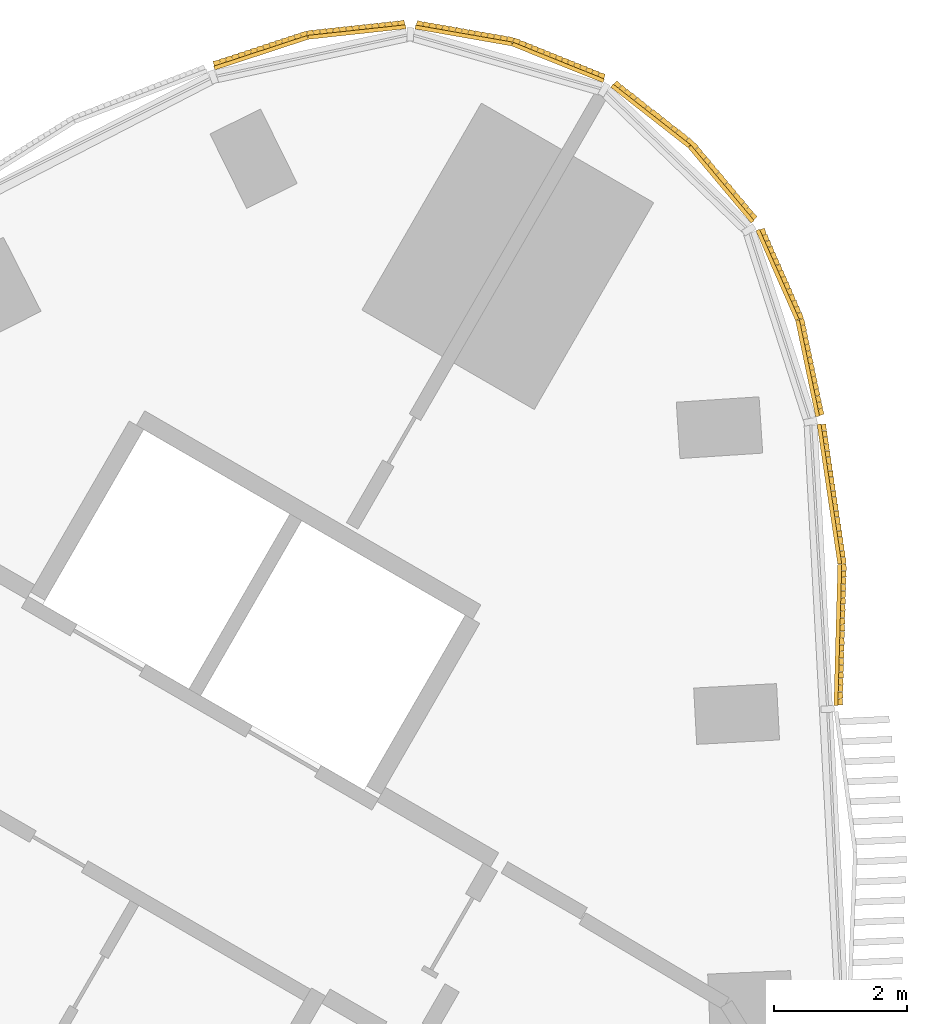
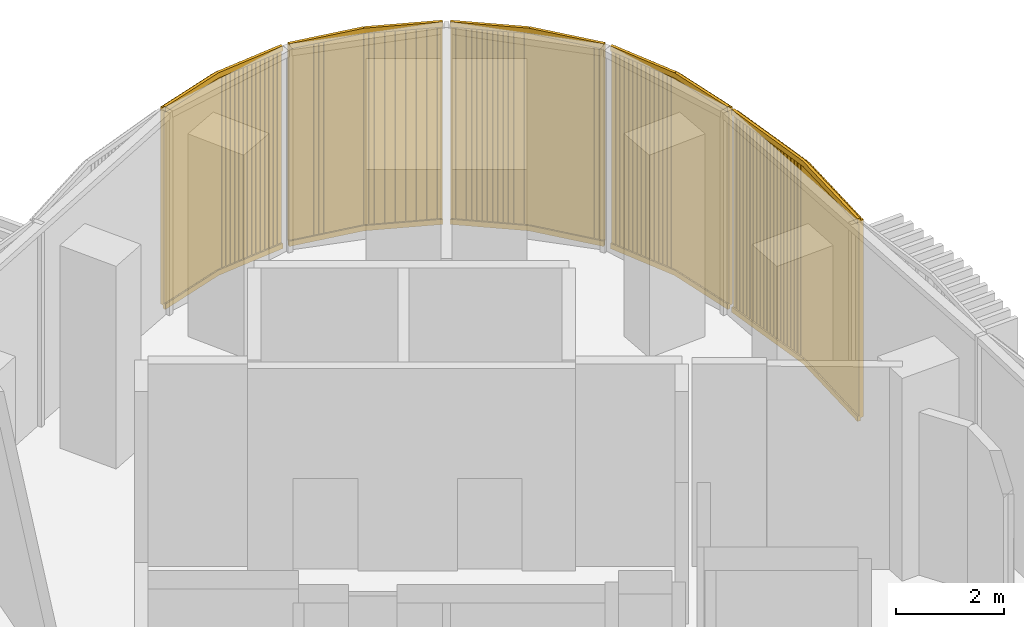
# One storey, part 17 of 17: 5 coverings.
"""IFC4 building model written with IfcOpenShell, lengths in metres."""

from ifc_helpers import new_model, si_unit, direction, frame, frame_2d, origin, place, context, subcontext, project, spatial, rectangle, extrude, source, transform, mapped, material, type_object, element, save


model = new_model("IFC4")

# Units and contexts
model_context = context("Model", 3, precision=1e-05, world=origin(), true_north=direction((0.0, 1.0)))
body_context = subcontext(model_context, "Body", "Model", "MODEL_VIEW")
ifc_project = project(units=[si_unit("LENGTHUNIT", "METRE"), si_unit("AREAUNIT", "SQUARE_METRE"), si_unit("VOLUMEUNIT", "CUBIC_METRE"), si_unit("PLANEANGLEUNIT", "RADIAN"), si_unit("MASSUNIT", "GRAM", prefix="KILO")], contexts=[model_context])

# Site, building, storey
site_placement = place(None, origin())
site = spatial("IfcSite", under=ifc_project, at=site_placement, CompositionType="ELEMENT")
building_placement = place(site_placement, origin())
building = spatial("IfcBuilding", under=site, at=building_placement, Name="Tamra Quay Hotel Tower", CompositionType="ELEMENT")
storey_placement = place(building_placement, frame((0.0, 0.0, 123.800048828125)))
storey = spatial("IfcBuildingStorey", under=building, at=storey_placement, Name="L30", CompositionType="ELEMENT", Elevation=123.800048828125)

# Coverings
ifc_material = material(Name="Terracotta baguette extruded", Category="masonry")
covering_type_1 = type_object("IfcCoveringType", Name="BAGUETTE SCREEN E-SHALLOW H4600", PredefinedType="USERDEFINED", material=ifc_material)
shared_shape_1 = source(origin(), body_context, "Body", "SweptSolid", [
    extrude(rectangle(XDim=2.130615234375, YDim=0.06005859375, at=frame_2d((1.0654296875, 0.030029296875))), frame((-2.127685546875, -0.057861328125, -0.1201171875), z_axis=(0.0, 0.0, 1.0), x_axis=(0.996194698092, -0.087155742748, 0.0)), (0.0, 0.0, 1.0), 0.1201171875),
    extrude(rectangle(XDim=2.130615234375, YDim=0.06005859375, at=frame_2d((1.0654296875, 0.030029296875))), frame((-2.127685546875, -0.057861328125, -4.60009765625), z_axis=(0.0, 0.0, 1.0), x_axis=(0.996194698092, -0.087155742748, 0.0)), (0.0, 0.0, 1.0), 0.1201171875),
    extrude(rectangle(XDim=0.094970703125, YDim=0.10009765625, at=frame_2d((0.04736328125, 0.050048828125))), frame((-2.119384765625, -0.13232421875, -4.5400390625)), (0.0, 0.0, 1.0), 4.47998046875),
    extrude(rectangle(XDim=0.094970703125, YDim=0.10009765625, at=frame_2d((0.04736328125, 0.050048828125))), frame((-2.018310546875, -0.141357421875, -4.5400390625)), (0.0, 0.0, 1.0), 4.47998046875),
    extrude(rectangle(XDim=0.094970703125, YDim=0.10009765625, at=frame_2d((0.04736328125, 0.050048828125))), frame((-1.917236328125, -0.150146484375, -4.5400390625)), (0.0, 0.0, 1.0), 4.47998046875),
    extrude(rectangle(XDim=0.094970703125, YDim=0.10009765625, at=frame_2d((0.04736328125, 0.050048828125))), frame((-1.816162109375, -0.158935546875, -4.5400390625)), (0.0, 0.0, 1.0), 4.47998046875),
    extrude(rectangle(XDim=0.094970703125, YDim=0.10009765625, at=frame_2d((0.04736328125, 0.050048828125))), frame((-1.715087890625, -0.167724609375, -4.5400390625)), (0.0, 0.0, 1.0), 4.47998046875),
    extrude(rectangle(XDim=0.094970703125, YDim=0.10009765625, at=frame_2d((0.04736328125, 0.050048828125))), frame((-1.614013671875, -0.176513671875, -4.5400390625)), (0.0, 0.0, 1.0), 4.47998046875),
    extrude(rectangle(XDim=0.094970703125, YDim=0.10009765625, at=frame_2d((0.04736328125, 0.050048828125))), frame((-1.512939453125, -0.185546875, -4.5400390625)), (0.0, 0.0, 1.0), 4.47998046875),
    extrude(rectangle(XDim=0.094970703125, YDim=0.10009765625, at=frame_2d((0.04736328125, 0.050048828125))), frame((-1.411865234375, -0.1943359375, -4.5400390625)), (0.0, 0.0, 1.0), 4.47998046875),
    extrude(rectangle(XDim=0.094970703125, YDim=0.10009765625, at=frame_2d((0.04736328125, 0.050048828125))), frame((-1.310791015625, -0.203125, -4.5400390625)), (0.0, 0.0, 1.0), 4.47998046875),
    extrude(rectangle(XDim=0.094970703125, YDim=0.10009765625, at=frame_2d((0.04736328125, 0.050048828125))), frame((-1.209716796875, -0.2119140625, -4.5400390625)), (0.0, 0.0, 1.0), 4.47998046875),
    extrude(rectangle(XDim=0.094970703125, YDim=0.10009765625, at=frame_2d((0.04736328125, 0.050048828125))), frame((-1.108642578125, -0.220947265625, -4.5400390625)), (0.0, 0.0, 1.0), 4.47998046875),
    extrude(rectangle(XDim=0.094970703125, YDim=0.10009765625, at=frame_2d((0.04736328125, 0.050048828125))), frame((-1.007568359375, -0.229736328125, -4.5400390625)), (0.0, 0.0, 1.0), 4.47998046875),
    extrude(rectangle(XDim=0.094970703125, YDim=0.10009765625, at=frame_2d((0.04736328125, 0.050048828125))), frame((-0.906494140625, -0.238525390625, -4.5400390625)), (0.0, 0.0, 1.0), 4.47998046875),
    extrude(rectangle(XDim=0.094970703125, YDim=0.10009765625, at=frame_2d((0.04736328125, 0.050048828125))), frame((-0.805419921875, -0.247314453125, -4.5400390625)), (0.0, 0.0, 1.0), 4.47998046875),
    extrude(rectangle(XDim=0.094970703125, YDim=0.10009765625, at=frame_2d((0.04736328125, 0.050048828125))), frame((-0.704345703125, -0.256103515625, -4.5400390625)), (0.0, 0.0, 1.0), 4.47998046875),
    extrude(rectangle(XDim=0.094970703125, YDim=0.10009765625, at=frame_2d((0.04736328125, 0.050048828125))), frame((-0.603271484375, -0.26513671875, -4.5400390625)), (0.0, 0.0, 1.0), 4.47998046875),
    extrude(rectangle(XDim=0.094970703125, YDim=0.10009765625, at=frame_2d((0.04736328125, 0.050048828125))), frame((-0.50244140625, -0.27392578125, -4.5400390625)), (0.0, 0.0, 1.0), 4.47998046875),
    extrude(rectangle(XDim=0.094970703125, YDim=0.10009765625, at=frame_2d((0.04736328125, 0.050048828125))), frame((-0.4013671875, -0.28271484375, -4.5400390625)), (0.0, 0.0, 1.0), 4.47998046875),
    extrude(rectangle(XDim=0.094970703125, YDim=0.10009765625, at=frame_2d((0.04736328125, 0.050048828125))), frame((-0.30029296875, -0.29150390625, -4.5400390625)), (0.0, 0.0, 1.0), 4.47998046875),
    extrude(rectangle(XDim=0.094970703125, YDim=0.10009765625, at=frame_2d((0.04736328125, 0.050048828125))), frame((-0.19921875, -0.300537109375, -4.5400390625)), (0.0, 0.0, 1.0), 4.47998046875),
    extrude(rectangle(XDim=0.094970703125, YDim=0.10009765625, at=frame_2d((0.04736328125, 0.050048828125))), frame((-0.09814453125, -0.309326171875, -4.5400390625)), (0.0, 0.0, 1.0), 4.47998046875),
    extrude(rectangle(XDim=2.130615234375, YDim=0.06005859375, at=frame_2d((1.0654296875, 0.030029296875))), frame((0.005126953125, -0.243408203125, -0.1201171875), z_axis=(0.0, 0.0, 1.0), x_axis=(0.996194698092, 0.087155742748, 0.0)), (0.0, 0.0, 1.0), 0.1201171875),
    extrude(rectangle(XDim=2.130615234375, YDim=0.06005859375, at=frame_2d((1.0654296875, 0.030029296875))), frame((0.005126953125, -0.243408203125, -4.60009765625), z_axis=(0.0, 0.0, 1.0), x_axis=(0.996194698092, 0.087155742748, 0.0)), (0.0, 0.0, 1.0), 0.1201171875),
    extrude(rectangle(XDim=0.094970703125, YDim=0.10009765625, at=frame_2d((0.04736328125, 0.050048828125))), frame((0.0029296875, -0.309326171875, -4.5400390625)), (0.0, 0.0, 1.0), 4.47998046875),
    extrude(rectangle(XDim=0.094970703125, YDim=0.10009765625, at=frame_2d((0.04736328125, 0.050048828125))), frame((0.10400390625, -0.300537109375, -4.5400390625)), (0.0, 0.0, 1.0), 4.47998046875),
    extrude(rectangle(XDim=0.094970703125, YDim=0.10009765625, at=frame_2d((0.04736328125, 0.050048828125))), frame((0.205078125, -0.29150390625, -4.5400390625)), (0.0, 0.0, 1.0), 4.47998046875),
    extrude(rectangle(XDim=0.094970703125, YDim=0.10009765625, at=frame_2d((0.04736328125, 0.050048828125))), frame((0.30615234375, -0.28271484375, -4.5400390625)), (0.0, 0.0, 1.0), 4.47998046875),
    extrude(rectangle(XDim=0.094970703125, YDim=0.10009765625, at=frame_2d((0.04736328125, 0.050048828125))), frame((0.4072265625, -0.27392578125, -4.5400390625)), (0.0, 0.0, 1.0), 4.47998046875),
    extrude(rectangle(XDim=0.094970703125, YDim=0.10009765625, at=frame_2d((0.04736328125, 0.050048828125))), frame((0.50830078125, -0.26513671875, -4.5400390625)), (0.0, 0.0, 1.0), 4.47998046875),
    extrude(rectangle(XDim=0.094970703125, YDim=0.10009765625, at=frame_2d((0.04736328125, 0.050048828125))), frame((0.609375, -0.256103515625, -4.5400390625)), (0.0, 0.0, 1.0), 4.47998046875),
    extrude(rectangle(XDim=0.094970703125, YDim=0.10009765625, at=frame_2d((0.04736328125, 0.050048828125))), frame((0.71044921875, -0.247314453125, -4.5400390625)), (0.0, 0.0, 1.0), 4.47998046875),
    extrude(rectangle(XDim=0.094970703125, YDim=0.10009765625, at=frame_2d((0.04736328125, 0.050048828125))), frame((0.8115234375, -0.238525390625, -4.5400390625)), (0.0, 0.0, 1.0), 4.47998046875),
    extrude(rectangle(XDim=0.094970703125, YDim=0.10009765625, at=frame_2d((0.04736328125, 0.050048828125))), frame((0.91259765625, -0.229736328125, -4.5400390625)), (0.0, 0.0, 1.0), 4.47998046875),
    extrude(rectangle(XDim=0.094970703125, YDim=0.10009765625, at=frame_2d((0.04736328125, 0.050048828125))), frame((1.013671875, -0.220947265625, -4.5400390625)), (0.0, 0.0, 1.0), 4.47998046875),
    extrude(rectangle(XDim=0.094970703125, YDim=0.10009765625, at=frame_2d((0.04736328125, 0.050048828125))), frame((1.11474609375, -0.2119140625, -4.5400390625)), (0.0, 0.0, 1.0), 4.47998046875),
    extrude(rectangle(XDim=0.094970703125, YDim=0.10009765625, at=frame_2d((0.04736328125, 0.050048828125))), frame((1.2158203125, -0.203125, -4.5400390625)), (0.0, 0.0, 1.0), 4.47998046875),
    extrude(rectangle(XDim=0.094970703125, YDim=0.10009765625, at=frame_2d((0.04736328125, 0.050048828125))), frame((1.31689453125, -0.1943359375, -4.5400390625)), (0.0, 0.0, 1.0), 4.47998046875),
    extrude(rectangle(XDim=0.094970703125, YDim=0.10009765625, at=frame_2d((0.04736328125, 0.050048828125))), frame((1.41796875, -0.185546875, -4.5400390625)), (0.0, 0.0, 1.0), 4.47998046875),
    extrude(rectangle(XDim=0.094970703125, YDim=0.10009765625, at=frame_2d((0.04736328125, 0.050048828125))), frame((1.51904296875, -0.176513671875, -4.5400390625)), (0.0, 0.0, 1.0), 4.47998046875),
    extrude(rectangle(XDim=0.094970703125, YDim=0.10009765625, at=frame_2d((0.04736328125, 0.050048828125))), frame((1.6201171875, -0.167724609375, -4.5400390625)), (0.0, 0.0, 1.0), 4.47998046875),
    extrude(rectangle(XDim=0.094970703125, YDim=0.10009765625, at=frame_2d((0.04736328125, 0.050048828125))), frame((1.72119140625, -0.158935546875, -4.5400390625)), (0.0, 0.0, 1.0), 4.47998046875),
    extrude(rectangle(XDim=0.094970703125, YDim=0.10009765625, at=frame_2d((0.04736328125, 0.050048828125))), frame((1.822265625, -0.150146484375, -4.5400390625)), (0.0, 0.0, 1.0), 4.47998046875),
    extrude(rectangle(XDim=0.094970703125, YDim=0.10009765625, at=frame_2d((0.04736328125, 0.050048828125))), frame((1.92333984375, -0.141357421875, -4.5400390625)), (0.0, 0.0, 1.0), 4.47998046875),
    extrude(rectangle(XDim=0.094970703125, YDim=0.10009765625, at=frame_2d((0.04736328125, 0.050048828125))), frame((2.0244140625, -0.13232421875, -4.5400390625)), (0.0, 0.0, 1.0), 4.47998046875),
])
covering_placement = place(storey_placement, frame((19.995849609375, 21.6875, 4.599853515625), z_axis=(0.0, 0.0, 1.0), x_axis=(-0.059642012577, 0.998219830666, 0.0)))
element("IfcCovering", 1, at=covering_placement, inside=storey, type_object=covering_type_1, Name="Baguette screen L30.E.f10", ObjectType="BAGUETTE SCREEN", PredefinedType="USERDEFINED", context=body_context, shape_type="MappedRepresentation", body=[
    mapped(shared_shape_1, transform((0.0, 0.0, 0.0), scale=1.0)),
])
covering_type_2 = type_object("IfcCoveringType", Name="BAGUETTE SCREEN CORNER-SHALLOW H4600", PredefinedType="USERDEFINED", material=ifc_material)
shared_shape_2 = source(origin(), body_context, "Body", "SweptSolid", [
    extrude(rectangle(XDim=1.480712890625, YDim=0.06005859375, at=frame_2d((0.740234375, 0.030029296875))), frame((-1.478759765625, -0.0576171875, -0.1201171875), z_axis=(0.0, 0.0, 1.0), x_axis=(0.994521895368, -0.104528463268, 0.0)), (0.0, 0.0, 1.0), 0.1201171875),
    extrude(rectangle(XDim=1.480712890625, YDim=0.06005859375, at=frame_2d((0.740234375, 0.030029296875))), frame((-1.478759765625, -0.0576171875, -4.60009765625), z_axis=(0.0, 0.0, 1.0), x_axis=(0.994521895368, -0.104528463268, 0.0)), (0.0, 0.0, 1.0), 0.1201171875),
    extrude(rectangle(XDim=0.094970703125, YDim=0.10009765625, at=frame_2d((0.04736328125, 0.050048828125))), frame((-1.470947265625, -0.133056640625, -4.5400390625)), (0.0, 0.0, 1.0), 4.47998046875),
    extrude(rectangle(XDim=0.094970703125, YDim=0.10009765625, at=frame_2d((0.04736328125, 0.050048828125))), frame((-1.372802734375, -0.1435546875, -4.5400390625)), (0.0, 0.0, 1.0), 4.47998046875),
    extrude(rectangle(XDim=0.094970703125, YDim=0.10009765625, at=frame_2d((0.04736328125, 0.050048828125))), frame((-1.274658203125, -0.15380859375, -4.5400390625)), (0.0, 0.0, 1.0), 4.47998046875),
    extrude(rectangle(XDim=0.094970703125, YDim=0.10009765625, at=frame_2d((0.04736328125, 0.050048828125))), frame((-1.176513671875, -0.1640625, -4.5400390625)), (0.0, 0.0, 1.0), 4.47998046875),
    extrude(rectangle(XDim=0.094970703125, YDim=0.10009765625, at=frame_2d((0.04736328125, 0.050048828125))), frame((-1.078369140625, -0.17431640625, -4.5400390625)), (0.0, 0.0, 1.0), 4.47998046875),
    extrude(rectangle(XDim=0.094970703125, YDim=0.10009765625, at=frame_2d((0.04736328125, 0.050048828125))), frame((-0.97998046875, -0.184814453125, -4.5400390625)), (0.0, 0.0, 1.0), 4.47998046875),
    extrude(rectangle(XDim=0.094970703125, YDim=0.10009765625, at=frame_2d((0.04736328125, 0.050048828125))), frame((-0.8818359375, -0.195068359375, -4.5400390625)), (0.0, 0.0, 1.0), 4.47998046875),
    extrude(rectangle(XDim=0.094970703125, YDim=0.10009765625, at=frame_2d((0.04736328125, 0.050048828125))), frame((-0.78369140625, -0.205322265625, -4.5400390625)), (0.0, 0.0, 1.0), 4.47998046875),
    extrude(rectangle(XDim=0.094970703125, YDim=0.10009765625, at=frame_2d((0.04736328125, 0.050048828125))), frame((-0.685546875, -0.2158203125, -4.5400390625)), (0.0, 0.0, 1.0), 4.47998046875),
    extrude(rectangle(XDim=0.094970703125, YDim=0.10009765625, at=frame_2d((0.04736328125, 0.050048828125))), frame((-0.58740234375, -0.22607421875, -4.5400390625)), (0.0, 0.0, 1.0), 4.47998046875),
    extrude(rectangle(XDim=0.094970703125, YDim=0.10009765625, at=frame_2d((0.04736328125, 0.050048828125))), frame((-0.4892578125, -0.236328125, -4.5400390625)), (0.0, 0.0, 1.0), 4.47998046875),
    extrude(rectangle(XDim=0.094970703125, YDim=0.10009765625, at=frame_2d((0.04736328125, 0.050048828125))), frame((-0.39111328125, -0.24658203125, -4.5400390625)), (0.0, 0.0, 1.0), 4.47998046875),
    extrude(rectangle(XDim=0.094970703125, YDim=0.10009765625, at=frame_2d((0.04736328125, 0.050048828125))), frame((-0.29296875, -0.257080078125, -4.5400390625)), (0.0, 0.0, 1.0), 4.47998046875),
    extrude(rectangle(XDim=0.094970703125, YDim=0.10009765625, at=frame_2d((0.04736328125, 0.050048828125))), frame((-0.19482421875, -0.267333984375, -4.5400390625)), (0.0, 0.0, 1.0), 4.47998046875),
    extrude(rectangle(XDim=0.094970703125, YDim=0.10009765625, at=frame_2d((0.04736328125, 0.050048828125))), frame((-0.0966796875, -0.277587890625, -4.5400390625)), (0.0, 0.0, 1.0), 4.47998046875),
    extrude(rectangle(XDim=1.480712890625, YDim=0.06005859375, at=frame_2d((0.740234375, 0.030029296875))), frame((0.00634765625, -0.21240234375, -0.1201171875), z_axis=(0.0, 0.0, 1.0), x_axis=(0.994521895368, 0.104528463268, 0.0)), (0.0, 0.0, 1.0), 0.1201171875),
    extrude(rectangle(XDim=1.480712890625, YDim=0.06005859375, at=frame_2d((0.740234375, 0.030029296875))), frame((0.00634765625, -0.21240234375, -4.60009765625), z_axis=(0.0, 0.0, 1.0), x_axis=(0.994521895368, 0.104528463268, 0.0)), (0.0, 0.0, 1.0), 0.1201171875),
    extrude(rectangle(XDim=0.094970703125, YDim=0.10009765625, at=frame_2d((0.04736328125, 0.050048828125))), frame((0.00146484375, -0.277587890625, -4.5400390625)), (0.0, 0.0, 1.0), 4.47998046875),
    extrude(rectangle(XDim=0.094970703125, YDim=0.10009765625, at=frame_2d((0.04736328125, 0.050048828125))), frame((0.099853515625, -0.267333984375, -4.5400390625)), (0.0, 0.0, 1.0), 4.47998046875),
    extrude(rectangle(XDim=0.094970703125, YDim=0.10009765625, at=frame_2d((0.04736328125, 0.050048828125))), frame((0.197998046875, -0.257080078125, -4.5400390625)), (0.0, 0.0, 1.0), 4.47998046875),
    extrude(rectangle(XDim=0.094970703125, YDim=0.10009765625, at=frame_2d((0.04736328125, 0.050048828125))), frame((0.296142578125, -0.24658203125, -4.5400390625)), (0.0, 0.0, 1.0), 4.47998046875),
    extrude(rectangle(XDim=0.094970703125, YDim=0.10009765625, at=frame_2d((0.04736328125, 0.050048828125))), frame((0.394287109375, -0.236328125, -4.5400390625)), (0.0, 0.0, 1.0), 4.47998046875),
    extrude(rectangle(XDim=0.094970703125, YDim=0.10009765625, at=frame_2d((0.04736328125, 0.050048828125))), frame((0.492431640625, -0.22607421875, -4.5400390625)), (0.0, 0.0, 1.0), 4.47998046875),
    extrude(rectangle(XDim=0.094970703125, YDim=0.10009765625, at=frame_2d((0.04736328125, 0.050048828125))), frame((0.590576171875, -0.2158203125, -4.5400390625)), (0.0, 0.0, 1.0), 4.47998046875),
    extrude(rectangle(XDim=0.094970703125, YDim=0.10009765625, at=frame_2d((0.04736328125, 0.050048828125))), frame((0.688720703125, -0.205322265625, -4.5400390625)), (0.0, 0.0, 1.0), 4.47998046875),
    extrude(rectangle(XDim=0.094970703125, YDim=0.10009765625, at=frame_2d((0.04736328125, 0.050048828125))), frame((0.786865234375, -0.195068359375, -4.5400390625)), (0.0, 0.0, 1.0), 4.47998046875),
    extrude(rectangle(XDim=0.094970703125, YDim=0.10009765625, at=frame_2d((0.04736328125, 0.050048828125))), frame((0.885009765625, -0.184814453125, -4.5400390625)), (0.0, 0.0, 1.0), 4.47998046875),
    extrude(rectangle(XDim=0.094970703125, YDim=0.10009765625, at=frame_2d((0.04736328125, 0.050048828125))), frame((0.983154296875, -0.17431640625, -4.5400390625)), (0.0, 0.0, 1.0), 4.47998046875),
    extrude(rectangle(XDim=0.094970703125, YDim=0.10009765625, at=frame_2d((0.04736328125, 0.050048828125))), frame((1.081298828125, -0.1640625, -4.5400390625)), (0.0, 0.0, 1.0), 4.47998046875),
    extrude(rectangle(XDim=0.094970703125, YDim=0.10009765625, at=frame_2d((0.04736328125, 0.050048828125))), frame((1.1796875, -0.15380859375, -4.5400390625)), (0.0, 0.0, 1.0), 4.47998046875),
    extrude(rectangle(XDim=0.094970703125, YDim=0.10009765625, at=frame_2d((0.04736328125, 0.050048828125))), frame((1.27783203125, -0.1435546875, -4.5400390625)), (0.0, 0.0, 1.0), 4.47998046875),
    extrude(rectangle(XDim=0.094970703125, YDim=0.10009765625, at=frame_2d((0.04736328125, 0.050048828125))), frame((1.3759765625, -0.133056640625, -4.5400390625)), (0.0, 0.0, 1.0), 4.47998046875),
])
for number, where, z_axis, x_axis, name in (
    (2, (19.3974609375, 25.322998046875, 4.599853515625), (0.0, 0.0, 1.0), (-0.305914777883, 0.952058899792, 0.0), "Baguette screen L30.E.c11"),
    (3, (17.81640625, 27.865234375, 4.599853515625), (0.0, 0.0, 1.0), (-0.718584480635, 0.695439676888, 0.0), "Baguette screen L30.E.c12"),
    (4, (15.223876953125, 29.3623046875, 4.599853515625), (0.0, 0.0, 1.0), (-0.961560667302, 0.274592576551, 0.0), "Baguette screen L30.E.c13"),
    (5, (12.231689453125, 29.460205078125, 4.599853515625), (0.0, 0.0, 1.0), (-0.97746458206, -0.211099480856, 0.0), "Baguette screen L30.E.c14"),
):
    element("IfcCovering", number, at=place(storey_placement, frame(where, z_axis=z_axis, x_axis=x_axis)), inside=storey, type_object=covering_type_2, Name=name, ObjectType="BAGUETTE SCREEN", PredefinedType="USERDEFINED", context=body_context, shape_type="MappedRepresentation", body=[
        mapped(shared_shape_2, transform((0.0, 0.0, 0.0), scale=1.0)),
    ])

save(model, "model.ifc")
